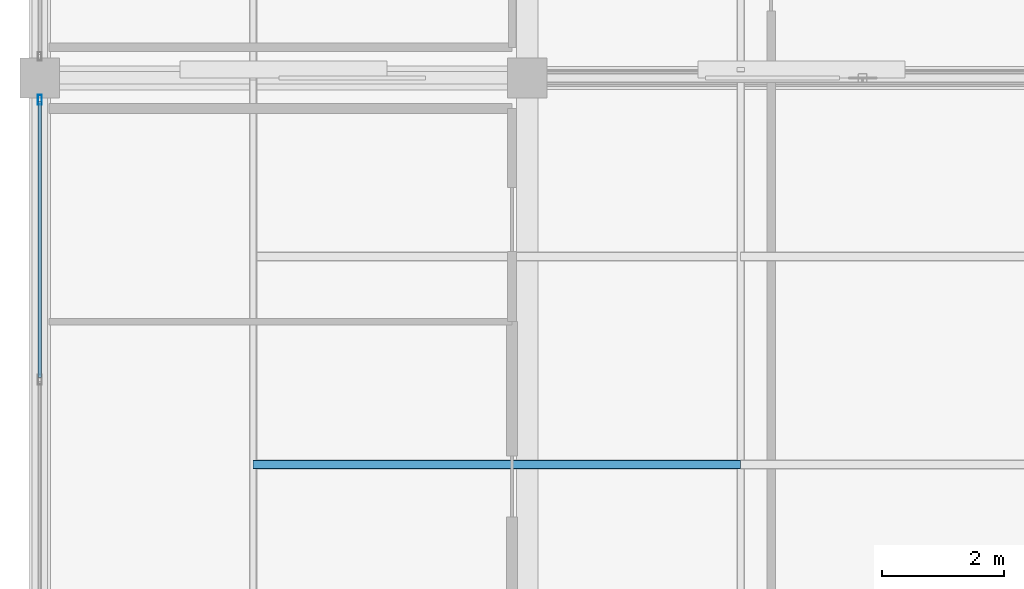
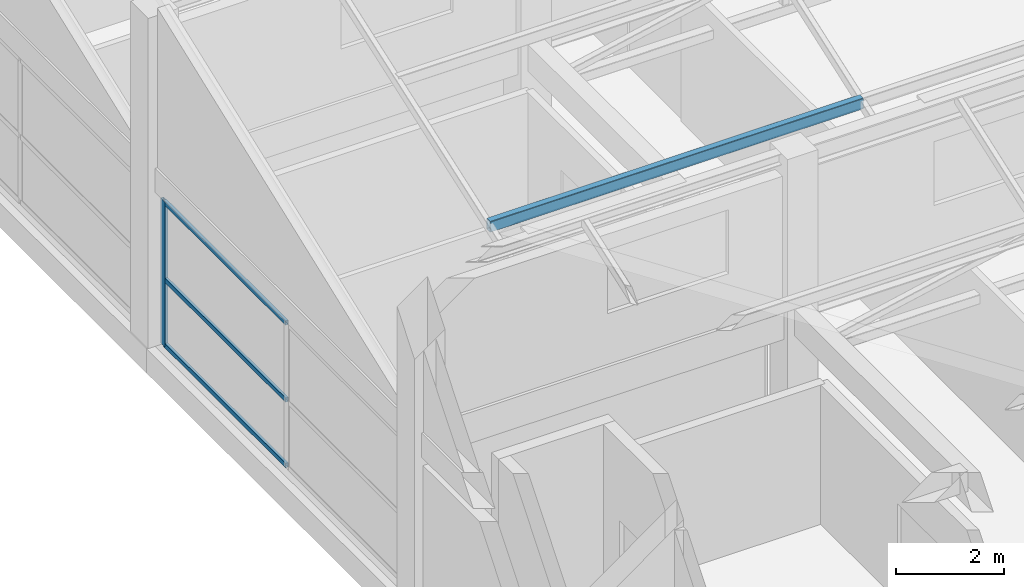
# One storey, part 8 of 35: 5 members, 1 element without a shape of its own.
"""IFC4 building model written with IfcOpenShell, lengths in metres."""

from ifc_helpers import new_model, si_unit, direction, frame, origin, origin_2d, place, context, subcontext, project, spatial, hollow_rectangle, extrude, material, layer, layer_set, material_profile, profile_set, type_object, element, aggregate, save


model = new_model("IFC4")

# Units and contexts
model_context = context("Model", 3, precision=1e-05, world=origin(), true_north=direction((0.0, 1.0)))
body_context = subcontext(model_context, "Body", "Model", "MODEL_VIEW")
ifc_project = project(units=[si_unit("LENGTHUNIT", "METRE"), si_unit("AREAUNIT", "SQUARE_METRE"), si_unit("VOLUMEUNIT", "CUBIC_METRE"), si_unit("PLANEANGLEUNIT", "RADIAN"), si_unit("MASSUNIT", "GRAM", prefix="KILO")], contexts=[model_context])

# Site, building, storey
site_placement = place(None, origin())
site = spatial("IfcSite", under=ifc_project, at=site_placement, CompositionType="ELEMENT")
building_placement = place(site_placement, origin())
building = spatial("IfcBuilding", under=site, at=building_placement, Name="Sillaruma Civic Art Gallery", CompositionType="ELEMENT")
storey_placement = place(building_placement, frame((0.0, 0.0, 74.4599609375)))
storey = spatial("IfcBuildingStorey", under=building, at=storey_placement, Name="L15", CompositionType="ELEMENT", Elevation=74.4599609375)

# Curtain wall, member
ifc_material_1 = material(Name="Thermally Broken Extruded Aluminium 6063-T6", Category="aluminium")
ifc_layer = layer(ifc_material_1, 0.159912109375, Name="Thermally Broken Extruded Aluminium 6063-T6")
ifc_layer_set = layer_set([ifc_layer], Name="Thermally Broken Extruded Aluminium 6063-T6")
curtain_wall_type = type_object("IfcCurtainWallType", Name="CW-UNI-111", PredefinedType="NOTDEFINED", material=ifc_layer_set)
curtain_wall_placement = place(storey_placement, origin())
curtain_wall = element("IfcCurtainWall", 1, at=curtain_wall_placement, inside=storey, type_object=curtain_wall_type, Name="Unitised Curtain Wall CW-111 (CW-L15-WBW-4)", PredefinedType="NOTDEFINED")
ifc_material_profile_1 = material_profile(ifc_material_1, hollow_rectangle(XDim=0.06494140625, YDim=0.159912109375, WallThickness=0.00390625, at=origin_2d()), Name="CWM65x160")
ifc_profile_set_1 = profile_set([ifc_material_profile_1], Name="Thermally Broken Extruded Aluminium 6063-T6")
member_type_1 = type_object("IfcMemberType", Name="MEM-MUL-CWM65x160", PredefinedType="MULLION", material=ifc_profile_set_1)
member_1_placement = place(storey_placement, frame((62.0, 59.04248046875, 0.0), z_axis=(0.0, 0.0, 1.0), x_axis=(-1.0, 0.0, 0.0)))
member_1 = element("IfcMember", 2, at=member_1_placement, type_object=member_type_1, Name="CW-111 mullion 3", PredefinedType="MULLION", context=body_context, shape_type="SweptSolid", body=[
    extrude(hollow_rectangle(XDim=0.06494140625, YDim=0.159912109375, WallThickness=0.00390625, at=origin_2d()), origin(), (0.0, 0.0, 1.0), 3.2900390625),
])

# Member
ifc_material_2 = material(Name="Structural Steel ASTM A500 Gr.C", Category="steel")
ifc_material_profile_2 = material_profile(ifc_material_2, hollow_rectangle(XDim=0.14990234375, YDim=0.25, WallThickness=0.010009765625, InnerFilletRadius=0.010009765625, OuterFilletRadius=0.02001953125, at=origin_2d()), Name="HSS250x150x10")
ifc_profile_set_2 = profile_set([ifc_material_profile_2], Name="Structural Steel ASTM A500 Gr.C")
member_type_2 = type_object("IfcMemberType", Name="MEM-PUR-HSS250", PredefinedType="PURLIN", material=ifc_profile_set_2)
member_2_placement = place(storey_placement, frame((65.5, 53.055908203125, 5.111083984375), z_axis=(1.0, 0.0, 0.0), x_axis=(0.0, 1.0, 0.0)))
element("IfcMember", 3, at=member_2_placement, inside=storey, type_object=member_type_2, Name="Sawtooth Roof Steel Purlin (2.1.1)", PredefinedType="PURLIN", context=body_context, shape_type="SweptSolid", body=[
    extrude(hollow_rectangle(XDim=0.14990234375, YDim=0.25, WallThickness=0.010009765625, InnerFilletRadius=0.010009765625, OuterFilletRadius=0.02001953125, at=origin_2d()), origin(), (0.0, 0.0, 1.0), 8.0),
])

ifc_material_profile_3 = material_profile(ifc_material_1, hollow_rectangle(XDim=0.06005859375, YDim=0.10009765625, WallThickness=0.003173828125, at=origin_2d()), Name="CWT60x100")
ifc_profile_set_3 = profile_set([ifc_material_profile_3], Name="Thermally Broken Extruded Aluminium 6063-T6")
member_type_3 = type_object("IfcMemberType", Name="MEM-TRN-CWT60x100", PredefinedType="USERDEFINED", material=ifc_profile_set_3)
member_3_placement = place(storey_placement, frame((62.0, 54.482421875, 0.030029296875), z_axis=(0.0, 1.0, 0.0), x_axis=(-1.0, 0.0, 0.0)))
member_3 = element("IfcMember", 4, at=member_3_placement, type_object=member_type_3, Name="CW-111 transom 2.1", ObjectType="TRANSOM", PredefinedType="USERDEFINED", context=body_context, shape_type="SweptSolid", body=[
    extrude(hollow_rectangle(XDim=0.06005859375, YDim=0.10009765625, WallThickness=0.003173828125, at=origin_2d()), origin(), (0.0, 0.0, 1.0), 4.527587890625),
])

member_4_placement = place(storey_placement, frame((62.0, 54.482421875, 1.513427734375), z_axis=(0.0, 1.0, 0.0), x_axis=(-1.0, 0.0, 0.0)))
member_4 = element("IfcMember", 5, at=member_4_placement, type_object=member_type_3, Name="CW-111 transom 2.2", ObjectType="TRANSOM", PredefinedType="USERDEFINED", context=body_context, shape_type="SweptSolid", body=[
    extrude(hollow_rectangle(XDim=0.06005859375, YDim=0.10009765625, WallThickness=0.003173828125, at=origin_2d()), origin(), (0.0, 0.0, 1.0), 4.527587890625),
])

member_5_placement = place(storey_placement, frame((62.0, 54.482421875, 3.260009765625), z_axis=(0.0, 1.0, 0.0), x_axis=(-1.0, 0.0, 0.0)))
member_5 = element("IfcMember", 6, at=member_5_placement, type_object=member_type_3, Name="CW-111 transom 2.3", ObjectType="TRANSOM", PredefinedType="USERDEFINED", context=body_context, shape_type="SweptSolid", body=[
    extrude(hollow_rectangle(XDim=0.06005859375, YDim=0.10009765625, WallThickness=0.003173828125, at=origin_2d()), origin(), (0.0, 0.0, 1.0), 4.527587890625),
])

aggregate(curtain_wall, [member_1, member_3, member_4, member_5])

save(model, "model.ifc")
